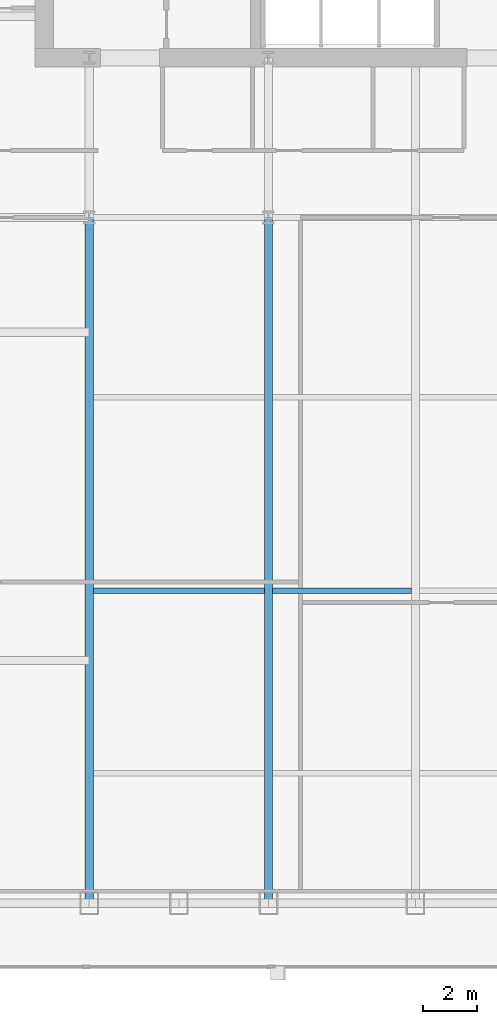
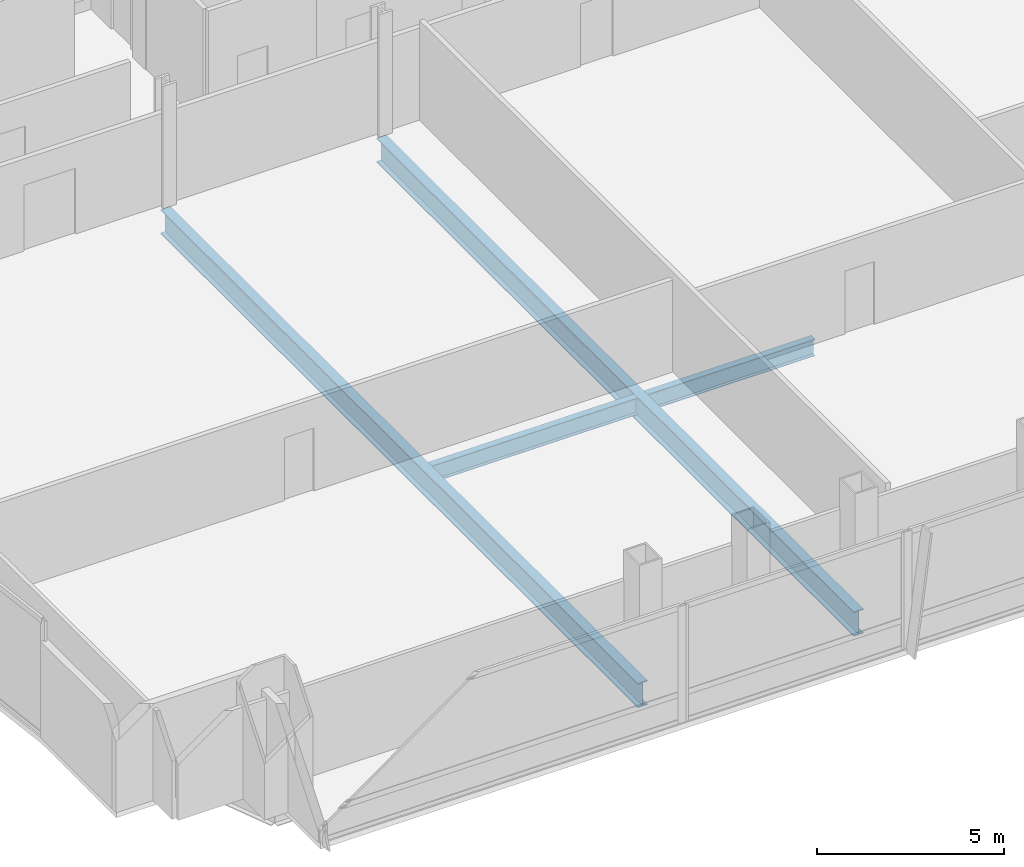
# One storey, part 9 of 30: 4 beams.
"""IFC4 building model written with IfcOpenShell, lengths in metres."""

from ifc_helpers import new_model, si_unit, direction, frame, origin, origin_2d, place, context, subcontext, project, spatial, i_section, extrude, material, material_profile, profile_set, type_object, element, save


model = new_model("IFC4")

# Units and contexts
model_context = context("Model", 3, precision=1e-05, world=origin(), true_north=direction((0.0, 1.0)))
body_context = subcontext(model_context, "Body", "Model", "MODEL_VIEW")
ifc_project = project(units=[si_unit("LENGTHUNIT", "METRE"), si_unit("AREAUNIT", "SQUARE_METRE"), si_unit("VOLUMEUNIT", "CUBIC_METRE"), si_unit("PLANEANGLEUNIT", "RADIAN"), si_unit("MASSUNIT", "GRAM", prefix="KILO")], contexts=[model_context])

# Site, building, storey
site_placement = place(None, origin())
site = spatial("IfcSite", under=ifc_project, at=site_placement, CompositionType="ELEMENT")
building_placement = place(site_placement, origin())
building = spatial("IfcBuilding", under=site, at=building_placement, Name="Khoronbel Lancet Exchange", CompositionType="ELEMENT")
storey_placement = place(building_placement, frame((0.0, 0.0, 98.60009765625)))
storey = spatial("IfcBuildingStorey", under=building, at=storey_placement, Name="L23", CompositionType="ELEMENT", Elevation=98.60009765625)

# Beams
ifc_material = material(Name="Steel S355", Category="steel")
ifc_material_profile_1 = material_profile(ifc_material, i_section(OverallWidth=0.300048828125, OverallDepth=0.800048828125, WebThickness=0.017578125, FlangeThickness=0.032958984375, at=origin_2d()), Name="HEB 800")
ifc_profile_set_1 = profile_set([ifc_material_profile_1], Name="Steel S355")
beam_type_1 = type_object("IfcBeamType", Name="BM-BG2", PredefinedType="BEAM", material=ifc_profile_set_1)
for number, where, z_axis, x_axis, name in (
    (1, (18.22509765625, 10.14990234375, -0.580078125), (0.0, 1.0, 0.0), (-1.0, 0.0, 0.0), "Level L23 south primary girder GS1"),
    (2, (24.89990234375, 10.14990234375, -0.580078125), (0.0, 1.0, 0.0), (-1.0, 0.0, 0.0), "Level L23 south primary girder GS2"),
):
    element("IfcBeam", number, at=place(storey_placement, frame(where, z_axis=z_axis, x_axis=x_axis)), inside=storey, type_object=beam_type_1, Name=name, PredefinedType="BEAM", context=body_context, shape_type="SweptSolid", body=[
        extrude(i_section(OverallWidth=0.300048828125, OverallDepth=0.800048828125, WebThickness=0.017578125, FlangeThickness=0.032958984375, at=origin_2d()), origin(), (0.0, 0.0, 1.0), 25.550048828125),
    ])
ifc_material_profile_2 = material_profile(ifc_material, i_section(OverallWidth=0.2099609375, OverallDepth=0.550048828125, WebThickness=0.010986328125, FlangeThickness=0.01708984375, at=origin_2d()), Name="IPE 550")
ifc_profile_set_2 = profile_set([ifc_material_profile_2], Name="Steel S355")
beam_type_2 = type_object("IfcBeamType", Name="BM-BJ2", PredefinedType="JOIST", material=ifc_profile_set_2)
beam_1_placement = place(storey_placement, frame((18.375, 21.800048828125, -0.455078125), z_axis=(1.0, 0.0, 0.0), x_axis=(0.0, 1.0, 0.0)))
element("IfcBeam", 3, at=beam_1_placement, inside=storey, type_object=beam_type_2, Name="Level L23 secondary composite joist J06", PredefinedType="JOIST", context=body_context, shape_type="SweptSolid", body=[
    extrude(i_section(OverallWidth=0.2099609375, OverallDepth=0.550048828125, WebThickness=0.010986328125, FlangeThickness=0.01708984375, at=origin_2d()), origin(), (0.0, 0.0, 1.0), 6.375),
])
beam_2_placement = place(storey_placement, frame((25.050048828125, 21.800048828125, -0.455078125), z_axis=(1.0, 0.0, 0.0), x_axis=(0.0, 1.0, 0.0)))
element("IfcBeam", 4, at=beam_2_placement, inside=storey, type_object=beam_type_2, Name="Level L23 secondary composite joist J07", PredefinedType="JOIST", context=body_context, shape_type="SweptSolid", body=[
    extrude(i_section(OverallWidth=0.2099609375, OverallDepth=0.550048828125, WebThickness=0.010986328125, FlangeThickness=0.01708984375, at=origin_2d()), origin(), (0.0, 0.0, 1.0), 5.175048828125),
])

save(model, "model.ifc")
